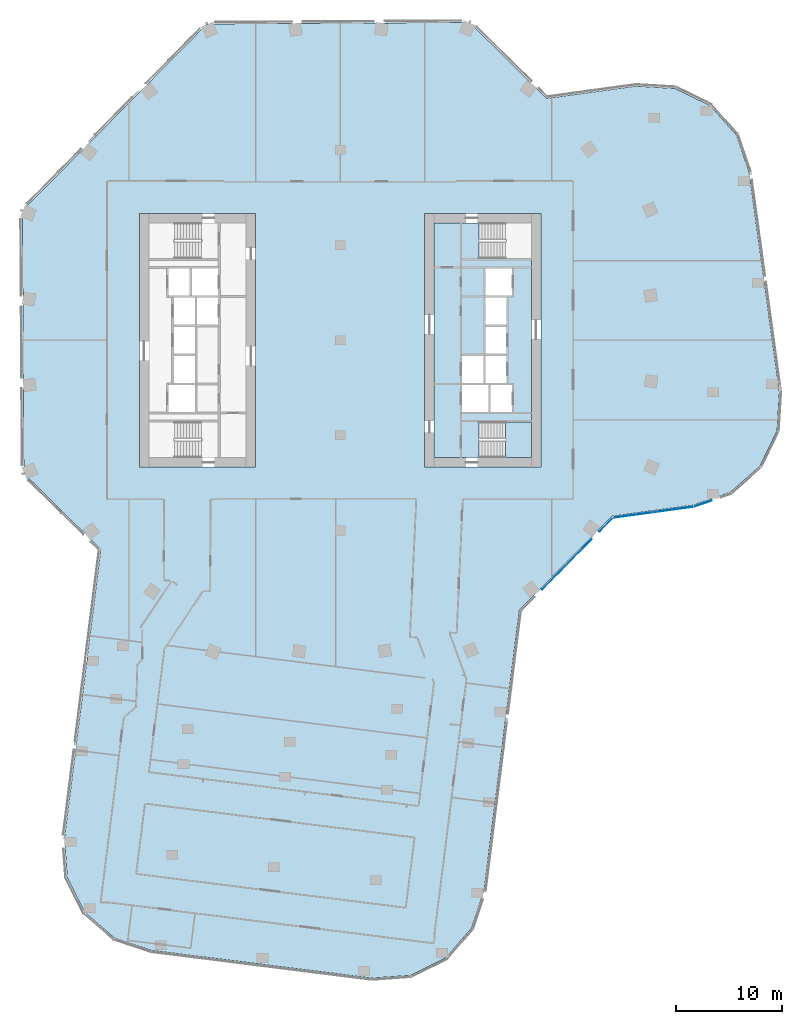
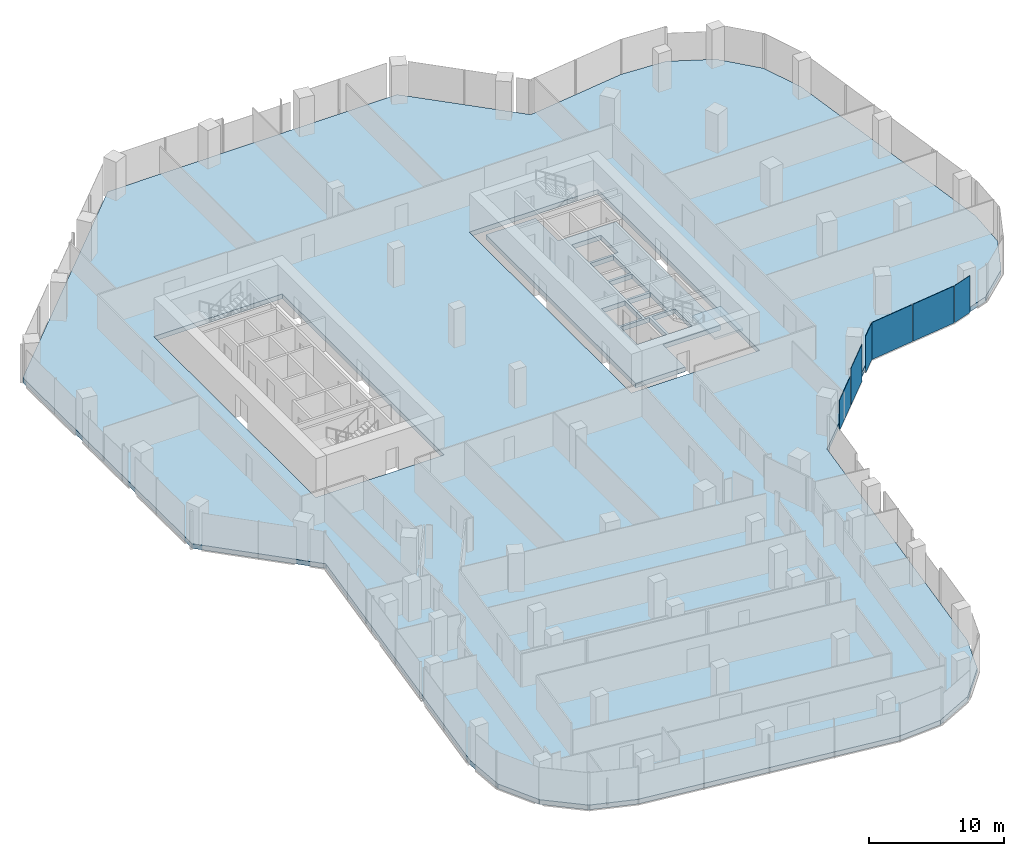
# One storey, part 15 of 27: 6 plates, 3 slabs, 4 elements without a shape of their own.
"""IFC4 building model written with IfcOpenShell, lengths in metres."""

from ifc_helpers import new_model, si_unit, direction, frame, origin, origin_2d, place, context, subcontext, project, spatial, polyline, rectangle, outline, extrude, material, layer, layer_set, type_object, element, aggregate, save


model = new_model("IFC4")

# Units and contexts
model_context = context("Model", 3, precision=1e-05, world=origin(), true_north=direction((0.0, 1.0)))
body_context = subcontext(model_context, "Body", "Model", "MODEL_VIEW")
ifc_project = project(units=[si_unit("LENGTHUNIT", "METRE"), si_unit("AREAUNIT", "SQUARE_METRE"), si_unit("VOLUMEUNIT", "CUBIC_METRE"), si_unit("PLANEANGLEUNIT", "RADIAN"), si_unit("MASSUNIT", "GRAM", prefix="KILO")], contexts=[model_context])

# Site, building, storey
site_placement = place(None, origin())
site = spatial("IfcSite", under=ifc_project, at=site_placement, CompositionType="ELEMENT")
building_placement = place(site_placement, origin())
building = spatial("IfcBuilding", under=site, at=building_placement, Name="Orlundy Tower", CompositionType="ELEMENT")
storey_placement = place(building_placement, frame((0.0, 0.0, 202.60009765625)))
storey = spatial("IfcBuildingStorey", under=building, at=storey_placement, Name="L53", CompositionType="ELEMENT", Elevation=202.60009765625)

# Curtain wall, plate
ifc_material_1 = material(Name="Aluminium bronze anodised", Category="aluminium")
curtain_wall_type = type_object("IfcCurtainWallType", Name="CW1 wall", PredefinedType="NOTDEFINED", material=ifc_material_1)
curtain_wall_1_placement = place(storey_placement, origin())
curtain_wall_1 = element("IfcCurtainWall", 1, at=curtain_wall_1_placement, inside=storey, type_object=curtain_wall_type, Name="CW1 run 015", PredefinedType="NOTDEFINED")
ifc_material_2 = material(Name="Tinted glass", Category="glass")
ifc_layer_1 = layer(ifc_material_2, 0.031982421875)
ifc_layer_set_1 = layer_set([ifc_layer_1], Name="CW1 glass panel 32")
plate_type = type_object("IfcPlateType", Name="CW1 glass panel 32", PredefinedType="CURTAIN_PANEL", material=ifc_layer_set_1)
plate_1_placement = place(storey_placement, frame((34.3330078125, -15.451416015625, -0.300048828125), z_axis=(0.0, 0.0, 1.0), x_axis=(-0.945034174317, -0.32697157273, 0.0)))
plate_1 = element("IfcPlate", 2, at=plate_1_placement, type_object=plate_type, Name="CW1 panel", PredefinedType="CURTAIN_PANEL", context=body_context, shape_type="SweptSolid", body=[
    extrude(rectangle(XDim=1.764892578125, YDim=0.031982421875, at=origin_2d()), origin(), (0.0, 0.0, 1.0), 3.35009765625),
])
aggregate(curtain_wall_1, [plate_1])

# Curtain wall, plates
curtain_wall_2_placement = place(storey_placement, origin())
curtain_wall_2 = element("IfcCurtainWall", 3, at=curtain_wall_2_placement, inside=storey, type_object=curtain_wall_type, Name="CW1 run 016", PredefinedType="NOTDEFINED")
plate_2_placement = place(storey_placement, frame((31.539306640625, -16.0146484375, -0.300048828125), z_axis=(0.0, 0.0, 1.0), x_axis=(-0.990668435814, -0.13629398476, 0.0)))
plate_2 = element("IfcPlate", 4, at=plate_2_placement, type_object=plate_type, Name="CW1 panel", PredefinedType="CURTAIN_PANEL", context=body_context, shape_type="SweptSolid", body=[
    extrude(rectangle(XDim=3.8583984375, YDim=0.031982421875, at=origin_2d()), origin(), (0.0, 0.0, 1.0), 3.35009765625),
])
plate_3_placement = place(storey_placement, frame((27.6904296875, -16.544189453125, -0.300048828125), z_axis=(0.0, 0.0, 1.0), x_axis=(-0.990668435814, -0.13629398476, 0.0)))
plate_3 = element("IfcPlate", 5, at=plate_3_placement, type_object=plate_type, Name="CW1 panel", PredefinedType="CURTAIN_PANEL", context=body_context, shape_type="SweptSolid", body=[
    extrude(rectangle(XDim=3.811767578125, YDim=0.031982421875, at=origin_2d()), origin(), (0.0, 0.0, 1.0), 3.35009765625),
])
aggregate(curtain_wall_2, [plate_2, plate_3])

curtain_wall_3_placement = place(storey_placement, origin())
curtain_wall_3 = element("IfcCurtainWall", 6, at=curtain_wall_3_placement, inside=storey, type_object=curtain_wall_type, Name="CW1 run 017", PredefinedType="NOTDEFINED")
plate_4_placement = place(storey_placement, frame((25.166259765625, -17.44775390625, -0.300048828125), z_axis=(0.0, 0.0, 1.0), x_axis=(-0.702970467781, -0.711219038994, 0.0)))
plate_4 = element("IfcPlate", 7, at=plate_4_placement, type_object=plate_type, Name="CW1 panel", PredefinedType="CURTAIN_PANEL", context=body_context, shape_type="SweptSolid", body=[
    extrude(rectangle(XDim=1.810302734375, YDim=0.031982421875, at=origin_2d()), origin(), (0.0, 0.0, 1.0), 3.35009765625),
])
plate_5_placement = place(storey_placement, frame((22.641357421875, -20.002197265625, -0.300048828125), z_axis=(0.0, 0.0, 1.0), x_axis=(-0.702970467781, -0.711219038994, 0.0)))
plate_5 = element("IfcPlate", 8, at=plate_5_placement, type_object=plate_type, Name="CW1 panel", PredefinedType="CURTAIN_PANEL", context=body_context, shape_type="SweptSolid", body=[
    extrude(rectangle(XDim=3.33203125, YDim=0.031982421875, at=origin_2d()), origin(), (0.0, 0.0, 1.0), 3.35009765625),
])
plate_6_placement = place(storey_placement, frame((20.263916015625, -22.407470703125, -0.300048828125), z_axis=(0.0, 0.0, 1.0), x_axis=(-0.702970467781, -0.711219038994, 0.0)))
plate_6 = element("IfcPlate", 9, at=plate_6_placement, type_object=plate_type, Name="CW1 panel", PredefinedType="CURTAIN_PANEL", context=body_context, shape_type="SweptSolid", body=[
    extrude(rectangle(XDim=3.33203125, YDim=0.031982421875, at=origin_2d()), origin(), (0.0, 0.0, 1.0), 2.73388671875),
])
aggregate(curtain_wall_3, [plate_4, plate_5, plate_6])

# Slab
ifc_material_3 = material(Name="Concrete C50/60", Category="concrete")
ifc_layer_2 = layer(ifc_material_3, 0.419921875)
ifc_layer_set_2 = layer_set([ifc_layer_2], Name="Core Floor Slab 420")
slab_type_1 = type_object("IfcSlabType", Name="Core Floor Slab 420", PredefinedType="FLOOR", material=ifc_layer_set_2)
slab_1_placement = place(storey_placement, frame((0.0, 0.0, -0.420166015625)))
element("IfcSlab", 10, at=slab_1_placement, inside=storey, type_object=slab_type_1, Name="Core floor E40", PredefinedType="FLOOR", context=body_context, shape_type="SweptSolid", body=[
    extrude(outline(polyline([(13.14501953125, 11.10009765625), (13.14501953125, 7.75), (18.10009765625, 7.75), (18.10009765625, -7.75), (13.14501953125, -7.75), (13.14501953125, -11.10009765625), (8.89990234375, -11.10009765625), (8.89990234375, 11.10009765625), (13.14501953125, 11.10009765625)]), holes=[polyline([(13.739990234375, 4.22509765625), (16.239990234375, 4.22509765625), (16.239990234375, 6.77490234375), (13.739990234375, 6.77490234375), (13.739990234375, 4.22509765625)]), polyline([(13.739990234375, 4.02490234375), (13.739990234375, 1.47509765625), (15.739990234375, 1.47509765625), (15.739990234375, 4.02490234375), (13.739990234375, 4.02490234375)]), polyline([(15.739990234375, 1.27490234375), (13.739990234375, 1.27490234375), (13.739990234375, -1.27490234375), (15.739990234375, -1.27490234375), (15.739990234375, 1.27490234375)]), polyline([(13.5400390625, -4.02490234375), (13.5400390625, -1.47509765625), (11.5400390625, -1.47509765625), (11.5400390625, -4.02490234375), (13.5400390625, -4.02490234375)]), polyline([(13.739990234375, -4.02490234375), (15.739990234375, -4.02490234375), (15.739990234375, -1.47509765625), (13.739990234375, -1.47509765625), (13.739990234375, -4.02490234375)]), polyline([(11.5400390625, -4.22509765625), (11.5400390625, -6.77490234375), (14.0400390625, -6.77490234375), (14.0400390625, -4.22509765625), (11.5400390625, -4.22509765625)]), polyline([(16.239990234375, -4.22509765625), (14.239990234375, -4.22509765625), (14.239990234375, -6.77490234375), (16.239990234375, -6.77490234375), (16.239990234375, -4.22509765625)])]), origin(), (0.0, 0.0, 1.0), 0.420166015625),
])

# Stair, slab
ifc_material_4 = material(Name="Concrete C50/60", Category="concrete")
stair_type = type_object("IfcStairType", Name="Exit Stair 20 risers", PredefinedType="HALF_TURN_STAIR", material=ifc_material_4)
stair_placement = place(storey_placement, origin())
stair = element("IfcStair", 11, at=stair_placement, inside=storey, type_object=stair_type, Name="L53 Exit Stair ST-E1", PredefinedType="HALF_TURN_STAIR")
ifc_material_5 = material(Name="Concrete C50/60", Category="concrete")
ifc_layer_3 = layer(ifc_material_5, 0.199951171875)
ifc_layer_set_3 = layer_set([ifc_layer_3], Name="Exit Stair Landing")
slab_type_2 = type_object("IfcSlabType", Name="Exit Stair Landing", PredefinedType="LANDING", material=ifc_layer_set_3)
slab_2_placement = place(storey_placement, frame((0.0, 0.0, 1.5498046875)))
slab_2 = element("IfcSlab", 12, at=slab_2_placement, type_object=slab_type_2, Name="ST-E1 landing 1", PredefinedType="LANDING", context=body_context, shape_type="SweptSolid", body=[
    extrude(outline(polyline([(15.659912109375, -11.10009765625), (18.10009765625, -11.10009765625), (18.10009765625, -7.75), (15.659912109375, -7.75), (15.659912109375, -11.10009765625)])), origin(), (0.0, 0.0, 1.0), 0.2001953125),
])
aggregate(stair, [slab_2])

# Slab
ifc_material_6 = material(Name="Concrete C45/55", Category="concrete")
ifc_layer_4 = layer(ifc_material_6, 0.419921875)
ifc_layer_set_4 = layer_set([ifc_layer_4], Name="TRANSFER FLOOR SLAB 420 C45/55")
slab_type_3 = type_object("IfcSlabType", Name="TRANSFER FLOOR SLAB 420 C45/55", PredefinedType="FLOOR", material=ifc_layer_set_4)
slab_3_placement = place(storey_placement, frame((0.0, 0.0, -0.420166015625)))
element("IfcSlab", 13, at=slab_3_placement, inside=storey, type_object=slab_type_3, Name="Floor slab L53", PredefinedType="FLOOR", context=body_context, shape_type="SweptSolid", body=[
    extrude(outline(polyline([(-22.64697265625, -19.797119140625), (-29.927001953125, -12.60107421875), (-30.072021484375, 12.251953125), (-12.60107421875, 29.927001953125), (12.251953125, 30.072021484375), (19.531982421875, 22.8759765625), (27.985107421875, 24.0380859375), (31.68505859375, 23.818115234375), (35.01904296875, 22.197021484375), (37.47900390625, 19.425048828125), (38.69091796875, 15.922119140625), (41.552978515625, -4.882080078125), (41.33203125, -8.58203125), (39.7119140625, -11.916015625), (36.93994140625, -14.3759765625), (33.43701171875, -15.587890625), (25.72509765625, -16.64892578125), (16.947021484375, -25.530029296875), (13.60595703125, -52.10400390625), (12.43505859375, -55.62109375), (10.007080078125, -58.422119140625), (6.69189453125, -60.0810546875), (2.9951171875, -60.344970703125), (-17.841064453125, -57.72509765625), (-21.35791015625, -56.553955078125), (-24.158935546875, -54.1259765625), (-25.818115234375, -50.81201171875), (-26.08203125, -47.114013671875), (-22.64697265625, -19.797119140625)]), holes=[polyline([(-8.0, -12.0), (-8.0, 12.0), (-19.0, 12.0), (-19.0, -12.0), (-8.0, -12.0)]), polyline([(19.0, -12.0), (19.0, 12.0), (8.0, 12.0), (8.0, -12.0), (19.0, -12.0)])]), origin(), (0.0, 0.0, 1.0), 0.420166015625),
])

save(model, "model.ifc")
